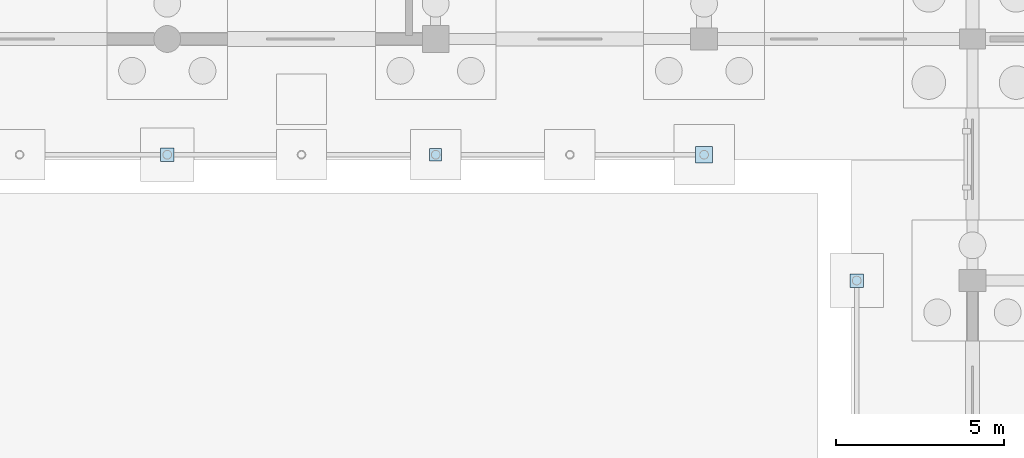
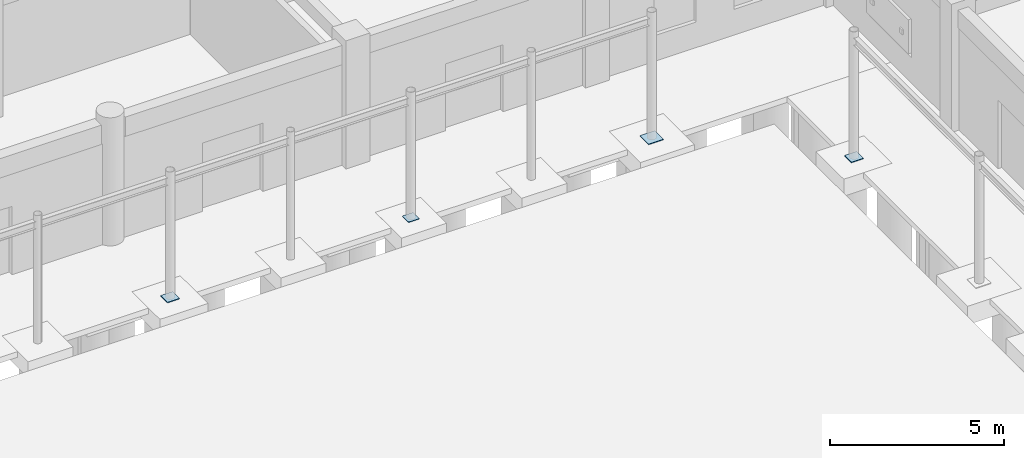
# One storey, part 126 of 166: 4 plates.
"""IFC4 building model written with IfcOpenShell, lengths in metres."""

from ifc_helpers import new_model, si_unit, direction, frame, origin, origin_2d, place, context, subcontext, project, spatial, rectangle, extrude, material, type_object, element, save


model = new_model("IFC4")

# Units and contexts
model_context = context("Model", 3, precision=1e-05, world=origin(), true_north=direction((0.0, 1.0)))
body_context = subcontext(model_context, "Body", "Model", "MODEL_VIEW")
ifc_project = project(units=[si_unit("LENGTHUNIT", "METRE"), si_unit("AREAUNIT", "SQUARE_METRE"), si_unit("VOLUMEUNIT", "CUBIC_METRE"), si_unit("PLANEANGLEUNIT", "RADIAN"), si_unit("MASSUNIT", "GRAM", prefix="KILO")], contexts=[model_context])

# Site, building, storey
site_placement = place(None, origin())
site = spatial("IfcSite", under=ifc_project, at=site_placement, CompositionType="ELEMENT")
building_placement = place(site_placement, origin())
building = spatial("IfcBuilding", under=site, at=building_placement, Name="Kharva Crest Polytechnic", CompositionType="ELEMENT")
storey_placement = place(building_placement, origin())
storey = spatial("IfcBuildingStorey", under=building, at=storey_placement, Name="L00", CompositionType="ELEMENT", Elevation=0.0)

# Plates
ifc_material = material(Name="Steel S355", Category="steel")
plate_type_1 = type_object("IfcPlateType", Name="PLT-BASE-360X360X20", PredefinedType="USERDEFINED", material=ifc_material)
plate_1_placement = place(storey_placement, frame((136.800048828125, 96.949951171875, 0.0009765625), z_axis=(0.0, 0.0, 1.0), x_axis=(1.0, 0.0, 0.0)))
element("IfcPlate", 1, at=plate_1_placement, inside=storey, type_object=plate_type_1, Name="L00 Colonnade Base Plate VN12", ObjectType="BASE PLATE", PredefinedType="USERDEFINED", context=body_context, shape_type="SweptSolid", body=[
    extrude(rectangle(XDim=0.360107421875, YDim=0.360107421875, at=origin_2d()), origin(), (0.0, 0.0, 1.0), 0.02001953125),
])
plate_type_2 = type_object("IfcPlateType", Name="PLT-BASE-400X400X22", PredefinedType="USERDEFINED", material=ifc_material)
for number, where, z_axis, x_axis, name in (
    (2, (128.800048828125, 96.949951171875, 0.0), (0.0, 0.0, 1.0), (1.0, 0.0, 0.0), "L00 Colonnade Base Plate VN11"),
    (3, (149.35009765625, 93.199951171875, 0.0), (0.0, 0.0, 1.0), (1.0, 0.0, 0.0), "L00 Colonnade Base Plate VE07"),
):
    element("IfcPlate", number, at=place(storey_placement, frame(where, z_axis=z_axis, x_axis=x_axis)), inside=storey, type_object=plate_type_2, Name=name, ObjectType="BASE PLATE", PredefinedType="USERDEFINED", context=body_context, shape_type="SweptSolid", body=[
        extrude(rectangle(XDim=0.39990234375, YDim=0.39990234375, at=origin_2d()), origin(), (0.0, 0.0, 1.0), 0.02197265625),
    ])
plate_type_3 = type_object("IfcPlateType", Name="PLT-BASE-500X500X25", PredefinedType="USERDEFINED", material=ifc_material)
plate_2_placement = place(storey_placement, frame((144.800048828125, 96.949951171875, -0.00146484375), z_axis=(0.0, 0.0, 1.0), x_axis=(1.0, 0.0, 0.0)))
element("IfcPlate", 4, at=plate_2_placement, inside=storey, type_object=plate_type_3, Name="L00 Colonnade Base Plate VN13", ObjectType="BASE PLATE", PredefinedType="USERDEFINED", context=body_context, shape_type="SweptSolid", body=[
    extrude(rectangle(XDim=0.5, YDim=0.5, at=origin_2d()), origin(), (0.0, 0.0, 1.0), 0.02490234375),
])

save(model, "model.ifc")
